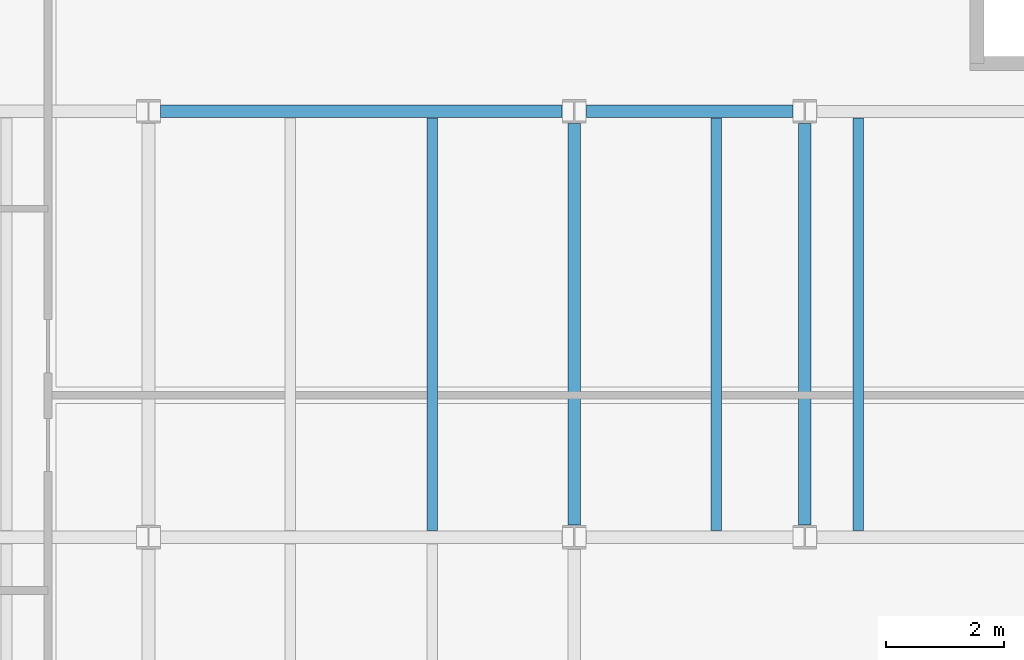
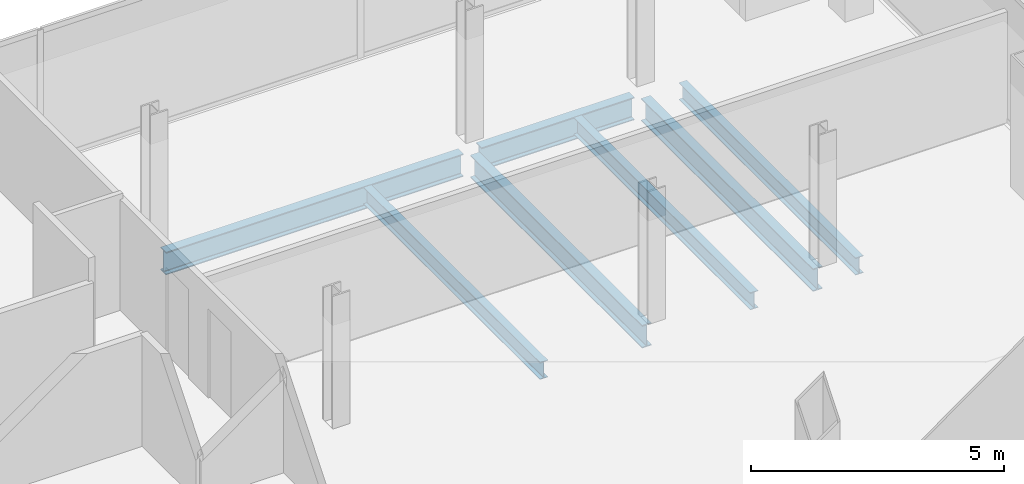
# One storey, part 15 of 23: 7 beams.
"""IFC4 building model written with IfcOpenShell, lengths in metres."""

from ifc_helpers import new_model, si_unit, direction, frame, origin, origin_2d, place, context, subcontext, project, spatial, i_section, extrude, material, material_profile, profile_set, type_object, element, save


model = new_model("IFC4")

# Units and contexts
model_context = context("Model", 3, precision=1e-05, world=origin(), true_north=direction((0.0, 1.0)))
body_context = subcontext(model_context, "Body", "Model", "MODEL_VIEW")
ifc_project = project(units=[si_unit("LENGTHUNIT", "METRE"), si_unit("AREAUNIT", "SQUARE_METRE"), si_unit("VOLUMEUNIT", "CUBIC_METRE"), si_unit("PLANEANGLEUNIT", "RADIAN"), si_unit("MASSUNIT", "GRAM", prefix="KILO")], contexts=[model_context])

# Site, building, storey
site_placement = place(None, origin())
site = spatial("IfcSite", under=ifc_project, at=site_placement, CompositionType="ELEMENT")
building_placement = place(site_placement, origin())
building = spatial("IfcBuilding", under=site, at=building_placement, Name="Cobrela Telecom Tower", CompositionType="ELEMENT")
storey_placement = place(building_placement, frame((0.0, 0.0, 279.64990234375)))
storey = spatial("IfcBuildingStorey", under=building, at=storey_placement, Name="L73", CompositionType="ELEMENT", Elevation=279.64990234375)

# Beams
ifc_material = material(Name="Steel ASTM A992 Grade 50", Category="steel")
ifc_material_profile_1 = material_profile(ifc_material, i_section(OverallWidth=0.212890625, OverallDepth=0.549072265625, WebThickness=0.0146484375, FlangeThickness=0.023681640625, FilletRadius=0.013916015625, at=origin_2d()), Name="W21X93")
ifc_profile_set_1 = profile_set([ifc_material_profile_1], Name="Steel ASTM A992 Grade 50")
beam_type_1 = type_object("IfcBeamType", Name="BM-GIRD-08", PredefinedType="USERDEFINED", material=ifc_profile_set_1)
beam_1_placement = place(storey_placement, frame((29.00439453125, 21.60009765625, -0.534423828125), z_axis=(1.0, 0.0, 0.0), x_axis=(0.0, 1.0, 0.0)))
element("IfcBeam", 1, at=beam_1_placement, inside=storey, type_object=beam_type_1, Name="L73 Primary Girder X12", ObjectType="GIRDER", PredefinedType="USERDEFINED", context=body_context, shape_type="SweptSolid", body=[
    extrude(i_section(OverallWidth=0.212890625, OverallDepth=0.549072265625, WebThickness=0.0146484375, FlangeThickness=0.023681640625, FilletRadius=0.013916015625, at=origin_2d()), origin(), (0.0, 0.0, 1.0), 6.791015625),
])
beam_2_placement = place(storey_placement, frame((36.20458984375, 21.60009765625, -0.534423828125), z_axis=(1.0, 0.0, 0.0), x_axis=(0.0, 1.0, 0.0)))
element("IfcBeam", 2, at=beam_2_placement, inside=storey, type_object=beam_type_1, Name="L73 Primary Girder X13", ObjectType="GIRDER", PredefinedType="USERDEFINED", context=body_context, shape_type="SweptSolid", body=[
    extrude(i_section(OverallWidth=0.212890625, OverallDepth=0.549072265625, WebThickness=0.0146484375, FlangeThickness=0.023681640625, FilletRadius=0.013916015625, at=origin_2d()), origin(), (0.0, 0.0, 1.0), 3.490966796875),
])
for number, where, z_axis, x_axis, name in (
    (3, (36.0, 14.6044921875, -0.534423828125), (0.0, 1.0, 0.0), (-1.0, 0.0, 0.0), "L73 Primary Girder Y32"),
    (4, (39.89990234375, 14.6044921875, -0.534423828125), (0.0, 1.0, 0.0), (-1.0, 0.0, 0.0), "L73 Primary Girder Y33"),
):
    element("IfcBeam", number, at=place(storey_placement, frame(where, z_axis=z_axis, x_axis=x_axis)), inside=storey, type_object=beam_type_1, Name=name, ObjectType="GIRDER", PredefinedType="USERDEFINED", context=body_context, shape_type="SweptSolid", body=[
        extrude(i_section(OverallWidth=0.212890625, OverallDepth=0.549072265625, WebThickness=0.0146484375, FlangeThickness=0.023681640625, FilletRadius=0.013916015625, at=origin_2d()), origin(), (0.0, 0.0, 1.0), 6.791015625),
    ])
ifc_material_profile_2 = material_profile(ifc_material, i_section(OverallWidth=0.179931640625, OverallDepth=0.4169921875, WebThickness=0.010986328125, FlangeThickness=0.01806640625, FilletRadius=0.011962890625, at=origin_2d()), Name="W16X57")
ifc_profile_set_2 = profile_set([ifc_material_profile_2], Name="Steel ASTM A992 Grade 50")
beam_type_2 = type_object("IfcBeamType", Name="BM-JOIST-04", PredefinedType="JOIST", material=ifc_profile_set_2)
for number, where, z_axis, x_axis, name in (
    (5, (33.60009765625, 14.511474609375, -0.468505859375), (0.0, 1.0, 0.0), (-1.0, 0.0, 0.0), "L73 Secondary Composite Floor Beam J14"),
    (6, (38.39990234375, 14.511474609375, -0.468505859375), (0.0, 1.0, 0.0), (-1.0, 0.0, 0.0), "L73 Secondary Composite Floor Beam J15"),
):
    element("IfcBeam", number, at=place(storey_placement, frame(where, z_axis=z_axis, x_axis=x_axis)), inside=storey, type_object=beam_type_2, Name=name, PredefinedType="JOIST", context=body_context, shape_type="SweptSolid", body=[
        extrude(i_section(OverallWidth=0.179931640625, OverallDepth=0.4169921875, WebThickness=0.010986328125, FlangeThickness=0.01806640625, FilletRadius=0.011962890625, at=origin_2d()), origin(), (0.0, 0.0, 1.0), 6.97705078125),
    ])
beam_3_placement = place(storey_placement, frame((40.800048828125, 14.511474609375, -0.468505859375), z_axis=(0.0, 1.0, 0.0), x_axis=(-1.0, 0.0, 0.0)))
element("IfcBeam", 7, at=beam_3_placement, inside=storey, type_object=beam_type_2, Name="L73 Secondary Composite Floor Beam J16", PredefinedType="JOIST", context=body_context, shape_type="SweptSolid", body=[
    extrude(i_section(OverallWidth=0.179931640625, OverallDepth=0.4169921875, WebThickness=0.010986328125, FlangeThickness=0.01806640625, FilletRadius=0.011962890625, at=origin_2d()), origin(), (0.0, 0.0, 1.0), 6.98095703125),
])

save(model, "model.ifc")
